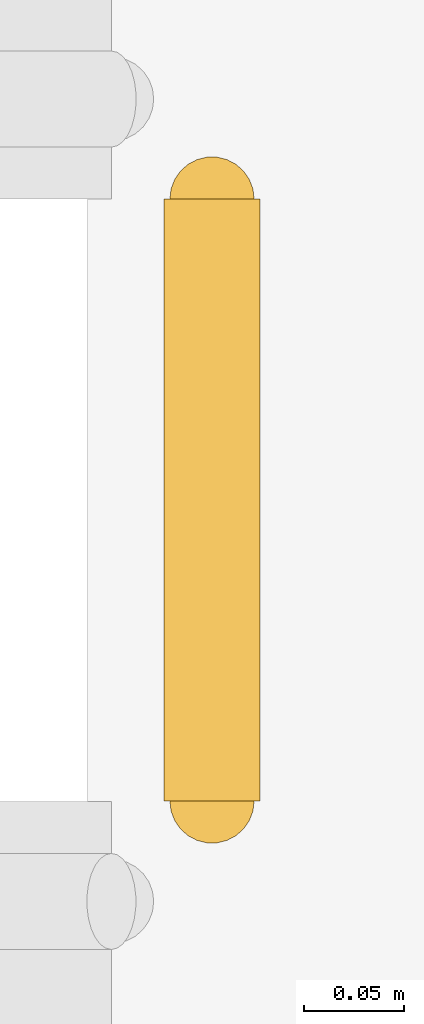
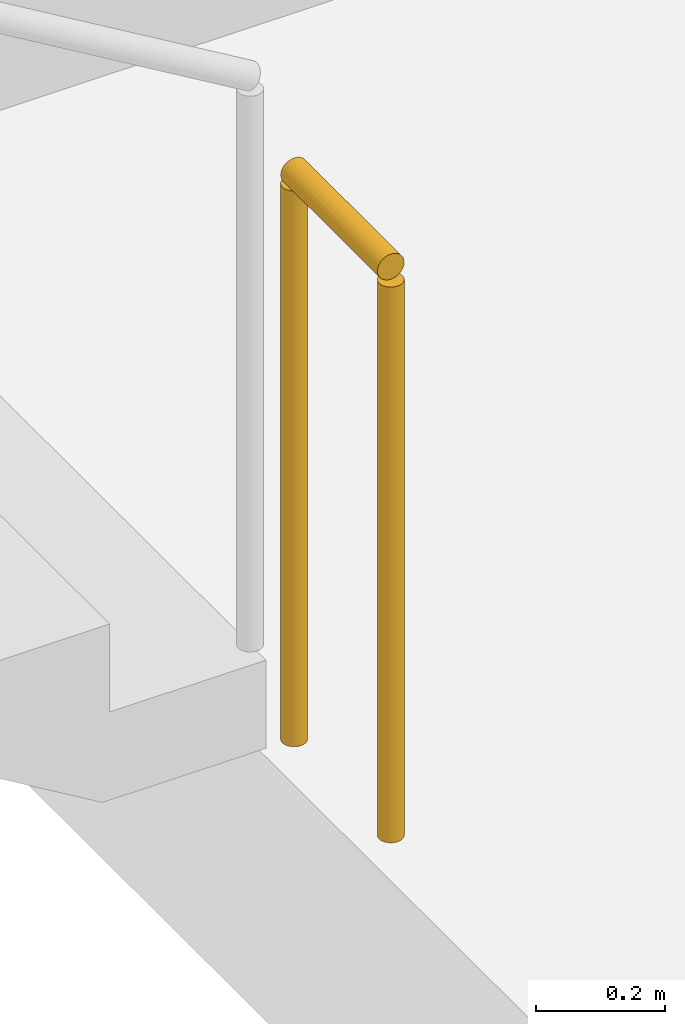
# One storey, part 52 of 52: 1 railing.
"""IFC4 building model written with IfcOpenShell, lengths in metres."""

import ifcopenshell
import ifcopenshell.guid

model = None  # the IFC model being written
_history = None  # IfcOwnerHistory: only IFC2X3 demands one
_inside = {}  # id of a spatial element -> (the spatial element, [elements in it])
_under = {}  # id of a project, library or spatial element -> (it, [spatial elements below it])
_declared = {}  # id of a project -> (the project, [libraries it declares])
_typed = {}  # id of a type object -> (the type object, [elements of that type])
_made_of = {}  # id of a material, layer set ... -> (it, [elements and type objects made of it])


def new_model(schema):
    """Start an empty IFC model of exactly this schema.

    Asked for "IFC4X3", IfcOpenShell would pick the latest addendum, in which some entities
    have other attributes; the version numbers below select the first issue.
    IFC2X3 requires an IfcOwnerHistory on every rooted entity: one is made here for all.
    """
    global model, _history
    if schema == "IFC4X3":
        model = ifcopenshell.file(schema_version=(4, 3, 0, 0))
    else:
        model = ifcopenshell.file(schema=schema)
    _inside.clear()
    _under.clear()
    _declared.clear()
    _typed.clear()
    _made_of.clear()
    _history = None
    if model.schema == "IFC2X3":
        org = make("IfcOrganization", Name="unknown")
        user = make(
            "IfcPersonAndOrganization",
            ThePerson=make("IfcPerson", FamilyName="unknown"),
            TheOrganization=org,
        )
        app = make(
            "IfcApplication",
            ApplicationDeveloper=org,
            Version="unknown",
            ApplicationFullName="unknown",
            ApplicationIdentifier="unknown",
        )
        _history = make(
            "IfcOwnerHistory",
            OwningUser=user,
            OwningApplication=app,
            ChangeAction="ADDED",
            CreationDate=0,
        )
    return model


def make(cls, **values):
    """One entity of the class cls with the attributes given. An attribute that is None is left unset."""
    return model.create_entity(
        cls, **{name: value for name, value in values.items() if value is not None}
    )


def rooted(cls, **values):
    """An entity with a GlobalId (a new one), such as an element, a storey or a relation."""
    return make(cls, GlobalId=ifcopenshell.guid.new(), OwnerHistory=_history, **values)


def si_unit(unit_type, name, prefix=None):
    """IfcSIUnit, for example si_unit("LENGTHUNIT", "METRE", prefix="MILLI")."""
    return make("IfcSIUnit", UnitType=unit_type, Prefix=prefix, Name=name)


def assignment(units):
    """IfcUnitAssignment: the units of a project."""
    return None if units is None else make("IfcUnitAssignment", Units=units)


def point(xyz):
    """IfcCartesianPoint."""
    return None if xyz is None else make("IfcCartesianPoint", Coordinates=xyz)


def direction(xyz):
    """IfcDirection."""
    return None if xyz is None else make("IfcDirection", DirectionRatios=xyz)


def frame(location, z_axis=None, x_axis=None):
    """IfcAxis2Placement3D, a coordinate frame: its origin and axes. An axis left out is left unset."""
    return make(
        "IfcAxis2Placement3D",
        Location=point(location),
        Axis=direction(z_axis),
        RefDirection=direction(x_axis),
    )


def frame_2d(location, x_axis=None):
    """IfcAxis2Placement2D, a coordinate frame in the plane: its origin and x axis."""
    return make(
        "IfcAxis2Placement2D", Location=point(location), RefDirection=direction(x_axis)
    )


def origin():
    """The frame at (0, 0, 0) with its axes left unset."""
    return frame((0.0, 0.0, 0.0))


def origin_2d():
    """The frame at (0, 0) in the plane with its x axis left unset."""
    return frame_2d((0.0, 0.0))


def place(relative_to, where):
    """IfcLocalPlacement: puts the frame where relative to a parent placement (None: the world)."""
    return make(
        "IfcLocalPlacement", PlacementRelTo=relative_to, RelativePlacement=where
    )


def context(
    kind, dimensions, precision=None, world=None, true_north=None, identifier=None
):
    """IfcGeometricRepresentationContext, for example the 3D "Model" context."""
    return make(
        "IfcGeometricRepresentationContext",
        ContextIdentifier=identifier,
        ContextType=kind,
        CoordinateSpaceDimension=dimensions,
        Precision=precision,
        WorldCoordinateSystem=world,
        TrueNorth=true_north,
    )


def subcontext(parent, identifier, kind, view, scale=None):
    """IfcGeometricRepresentationSubContext, for example "Body" below "Model"."""
    return make(
        "IfcGeometricRepresentationSubContext",
        ContextIdentifier=identifier,
        ContextType=kind,
        ParentContext=parent,
        TargetScale=scale,
        TargetView=view,
    )


def project(units=None, contexts=None):
    """IfcProject with its units and contexts."""
    return rooted(
        "IfcProject",
        Name="project",
        RepresentationContexts=contexts,
        UnitsInContext=assignment(units),
    )


def spatial(cls, under=None, at=None, **own):
    """A site, building, storey or space (cls), placed at a placement, below another one or the project."""
    s = rooted(cls, ObjectPlacement=at, **own)
    if under is not None:
        _under.setdefault(under.id(), (under, []))[1].append(s)
    return s


def profile(cls, at=None, kind="AREA", **sizes):
    """A parametric profile (cls). Its sizes go by their IFC names, for example OverallWidth=200.0."""
    return make(cls, ProfileType=kind, Position=at, **sizes)


def circle(**sizes):
    """IfcCircleProfileDef."""
    return profile("IfcCircleProfileDef", **sizes)


def extrude(swept, where, along, depth):
    """IfcExtrudedAreaSolid: the profile swept, set in the frame where, extruded along a direction by depth."""
    return make(
        "IfcExtrudedAreaSolid",
        SweptArea=swept,
        Position=where,
        ExtrudedDirection=direction(along),
        Depth=depth,
    )


def shape(context_of_items, identifier, shape_type, items):
    """IfcShapeRepresentation: the items that make up one representation, for example the "Body"."""
    return make(
        "IfcShapeRepresentation",
        ContextOfItems=context_of_items,
        RepresentationIdentifier=identifier,
        RepresentationType=shape_type,
        Items=items,
    )


def material(Name=None, Category=None):
    """IfcMaterial."""
    return make("IfcMaterial", Name=Name, Category=Category)


def made_of(thing, what):
    """Note that an element or type object is made of a material, layer set ...; save() writes the relation."""
    if what is not None:
        _made_of.setdefault(what.id(), (what, []))[1].append(thing)
    return thing


def type_object(cls, material=None, **own):
    """A type object (cls), such as IfcWallType, which elements share."""
    return made_of(rooted(cls, **own), material)


def element(
    cls,
    number,
    at=None,
    inside=None,
    cuts=None,
    type_object=None,
    material=None,
    context=None,
    identifier="Body",
    shape_type=None,
    held_by="IfcProductDefinitionShape",
    body=None,
    shapes=None,
    **own,
):
    """One element of the class cls, such as IfcWall. Its Tag is "e" and its number.

    at: its placement. inside: the storey or other place that contains it. cuts: it is an
    opening in that element (IfcRelVoidsElement). A single representation is given by context,
    identifier, shape_type and body (its items); several are given by shapes. held_by: the class
    of the entity that holds the representations. save() writes the other relations.
    """
    e = rooted(cls, Tag="e%d" % number, ObjectPlacement=at, **own)
    if body is not None:
        shapes = [shape(context, identifier, shape_type, body)]
    if shapes is not None:
        e.Representation = make(held_by, Representations=shapes)
    if inside is not None:
        _inside.setdefault(inside.id(), (inside, []))[1].append(e)
    if cuts is not None:
        rooted(
            "IfcRelVoidsElement", RelatingBuildingElement=cuts, RelatedOpeningElement=e
        )
    if type_object is not None:
        _typed.setdefault(type_object.id(), (type_object, []))[1].append(e)
    return made_of(e, material)


def aggregate(whole, parts):
    """IfcRelAggregates: a whole, such as a stair, and the parts it consists of."""
    return rooted("IfcRelAggregates", RelatingObject=whole, RelatedObjects=parts)


def save(model, path):
    """Write the relations noted so far, then the file.

    IfcRelAggregates (storeys below a building ...), IfcRelContainedInSpatialStructure (elements
    in a storey), IfcRelDefinesByType, IfcRelAssociatesMaterial and IfcRelDeclares: one each for
    every whole, place, type object, material and project.
    """
    for whole, parts in _under.values():
        aggregate(whole, parts)
    for where, things in _inside.values():
        rooted(
            "IfcRelContainedInSpatialStructure",
            RelatedElements=things,
            RelatingStructure=where,
        )
    for kind, things in _typed.values():
        rooted("IfcRelDefinesByType", RelatedObjects=things, RelatingType=kind)
    for what, things in _made_of.values():
        rooted("IfcRelAssociatesMaterial", RelatedObjects=things, RelatingMaterial=what)
    for by, libraries in _declared.values():
        rooted("IfcRelDeclares", RelatingContext=by, RelatedDefinitions=libraries)
    model.write(path)


model = new_model("IFC4")

# Units and contexts
model_context = context("Model", 3, precision=1e-05, world=origin(), true_north=direction((0.0, 1.0)))
body_context = subcontext(model_context, "Body", "Model", "MODEL_VIEW")
ifc_project = project(units=[si_unit("LENGTHUNIT", "METRE"), si_unit("AREAUNIT", "SQUARE_METRE"), si_unit("VOLUMEUNIT", "CUBIC_METRE"), si_unit("PLANEANGLEUNIT", "RADIAN"), si_unit("MASSUNIT", "GRAM", prefix="KILO")], contexts=[model_context])

# Site, building, storey
site_placement = place(None, origin())
site = spatial("IfcSite", under=ifc_project, at=site_placement, CompositionType="ELEMENT")
building_placement = place(site_placement, origin())
building = spatial("IfcBuilding", under=site, at=building_placement, Name="Tamarind Cross Interchange Tower", CompositionType="ELEMENT")
storey_placement = place(building_placement, frame((0.0, 0.0, 9.0)))
storey = spatial("IfcBuildingStorey", under=building, at=storey_placement, Name="L01", CompositionType="ELEMENT", Elevation=9.0)

# Railing
ifc_material = material(Name="Public stair guard")
railing_type = type_object("IfcRailingType", Name="Public stair guard", PredefinedType="GUARDRAIL", material=ifc_material)
railing_placement = place(storey_placement, frame((61.25, 44.60009765625, 0.0)))
element("IfcRailing", 1, at=railing_placement, inside=storey, type_object=railing_type, Name="L01 XS-P02 stair guard 4", PredefinedType="GUARDRAIL", context=body_context, shape_type="SweptSolid", body=[
    extrude(circle(Radius=0.02392578125, at=origin_2d()), frame((0.0, 0.0, 1.076171875), z_axis=(0.0, -1.0, 0.0), x_axis=(1.0, 0.0, 0.0)), (0.0, 0.0, 1.0), 0.300048828125),
    extrude(circle(Radius=0.02099609375, at=origin_2d()), origin(), (0.0, 0.0, 1.0), 1.052001953125),
    extrude(circle(Radius=0.02099609375, at=origin_2d()), frame((0.0, -0.300048828125, 0.0)), (0.0, 0.0, 1.0), 1.052001953125),
])

save(model, "model.ifc")
